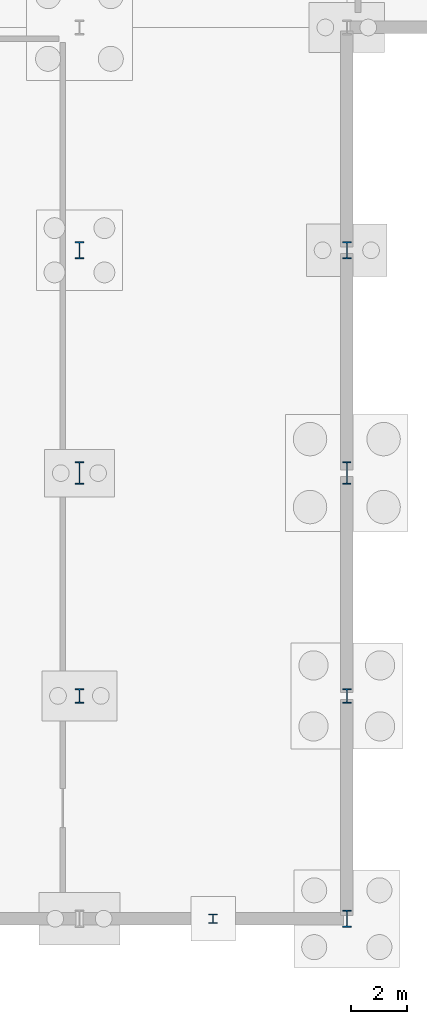
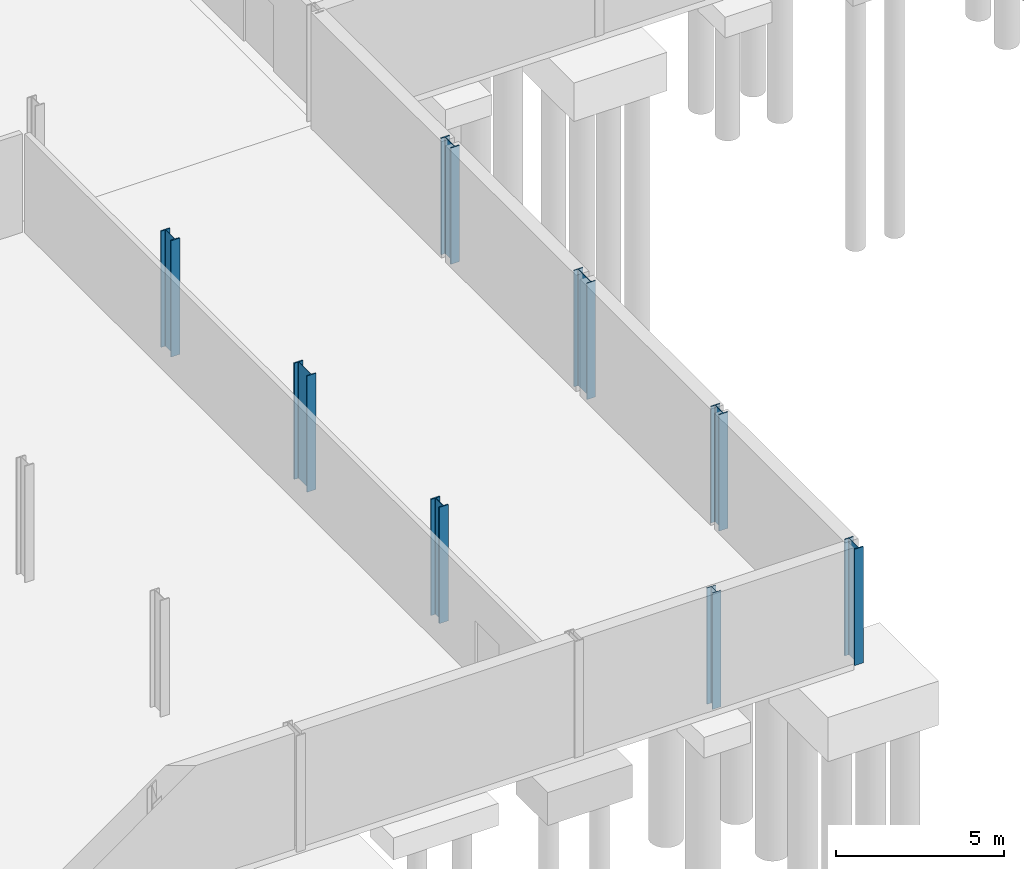
# One storey, part 12 of 47: 8 columns.
"""IFC4 building model written with IfcOpenShell, lengths in metres."""

from ifc_helpers import new_model, si_unit, direction, frame, origin, origin_2d, place, context, subcontext, project, spatial, i_section, extrude, material, material_profile, profile_set, type_object, element, save


model = new_model("IFC4")

# Units and contexts
model_context = context("Model", 3, precision=1e-05, world=origin(), true_north=direction((0.0, 1.0)))
body_context = subcontext(model_context, "Body", "Model", "MODEL_VIEW")
ifc_project = project(units=[si_unit("LENGTHUNIT", "METRE"), si_unit("AREAUNIT", "SQUARE_METRE"), si_unit("VOLUMEUNIT", "CUBIC_METRE"), si_unit("PLANEANGLEUNIT", "RADIAN"), si_unit("MASSUNIT", "GRAM", prefix="KILO")], contexts=[model_context])

# Site, building, storey
site_placement = place(None, origin())
site = spatial("IfcSite", under=ifc_project, at=site_placement, CompositionType="ELEMENT")
building_placement = place(site_placement, origin())
building = spatial("IfcBuilding", under=site, at=building_placement, Name="Alderhovde Museum", CompositionType="ELEMENT")
storey_placement = place(building_placement, frame((0.0, 0.0, -4.5)))
storey = spatial("IfcBuildingStorey", under=building, at=storey_placement, Name="B1", CompositionType="ELEMENT", Elevation=-4.5)

# Columns
ifc_material_1 = material(Name="Steel S355J2", Category="steel")
ifc_material_profile_1 = material_profile(ifc_material_1, i_section(OverallWidth=0.300048828125, OverallDepth=0.800048828125, WebThickness=0.017578125, FlangeThickness=0.032958984375, FilletRadius=0.030029296875, at=origin_2d()), Name="HEB 800")
ifc_profile_set_1 = profile_set([ifc_material_profile_1], Name="Steel S355J2")
column_type_1 = type_object("IfcColumnType", Name="COL-HEB800", PredefinedType="COLUMN", material=ifc_profile_set_1)
for number, where, z_axis, x_axis, name in (
    (1, (105.60009765625, 16.0, 0.0), (0.0, 0.0, 1.0), (1.0, 0.0, 0.0), "B1 Column (105.6, 16.0)"),
    (2, (115.199951171875, 16.0, 0.0), (0.0, 0.0, 1.0), (1.0, 0.0, 0.0), "B1 Column (115.2, 16.0)"),
):
    element("IfcColumn", number, at=place(storey_placement, frame(where, z_axis=z_axis, x_axis=x_axis)), inside=storey, type_object=column_type_1, Name=name, PredefinedType="COLUMN", context=body_context, shape_type="SweptSolid", body=[
        extrude(i_section(OverallWidth=0.300048828125, OverallDepth=0.800048828125, WebThickness=0.017578125, FlangeThickness=0.032958984375, FilletRadius=0.030029296875, at=origin_2d()), origin(), (0.0, 0.0, 1.0), 4.219970703125),
    ])
ifc_material_2 = material(Name="Steel S355J2", Category="steel")
ifc_material_profile_2 = material_profile(ifc_material_2, i_section(OverallWidth=0.305908203125, OverallDepth=0.52392578125, WebThickness=0.02099609375, FlangeThickness=0.0400390625, FilletRadius=0.027099609375, at=origin_2d()), Name="HEM 500")
ifc_profile_set_2 = profile_set([ifc_material_profile_2], Name="Steel S355J2")
column_type_2 = type_object("IfcColumnType", Name="COL-HEM500", PredefinedType="COLUMN", material=ifc_profile_set_2)
for number, where, z_axis, x_axis, name in (
    (3, (105.60009765625, 8.0, 0.0), (0.0, 0.0, 1.0), (1.0, 0.0, 0.0), "B1 Column (105.6, 8.0)"),
    (4, (115.199951171875, 8.0, 0.0), (0.0, 0.0, 1.0), (1.0, 0.0, 0.0), "B1 Column (115.2, 8.0)"),
):
    element("IfcColumn", number, at=place(storey_placement, frame(where, z_axis=z_axis, x_axis=x_axis)), inside=storey, type_object=column_type_2, Name=name, PredefinedType="COLUMN", context=body_context, shape_type="SweptSolid", body=[
        extrude(i_section(OverallWidth=0.305908203125, OverallDepth=0.52392578125, WebThickness=0.02099609375, FlangeThickness=0.0400390625, FilletRadius=0.027099609375, at=origin_2d()), origin(), (0.0, 0.0, 1.0), 4.219970703125),
    ])
ifc_material_3 = material(Name="Steel S355J2", Category="steel")
ifc_material_profile_3 = material_profile(ifc_material_3, i_section(OverallWidth=0.304931640625, OverallDepth=0.6201171875, WebThickness=0.02099609375, FlangeThickness=0.0400390625, FilletRadius=0.027099609375, at=origin_2d()), Name="HEM 600")
ifc_profile_set_3 = profile_set([ifc_material_profile_3], Name="Steel S355J2")
column_type_3 = type_object("IfcColumnType", Name="COL-HEM600", PredefinedType="COLUMN", material=ifc_profile_set_3)
for number, where, z_axis, x_axis, name in (
    (5, (105.60009765625, 24.0, 0.0), (0.0, 0.0, 1.0), (1.0, 0.0, 0.0), "B1 Column (105.6, 24.0)"),
    (6, (115.199951171875, 0.0, 0.0), (0.0, 0.0, 1.0), (1.0, 0.0, 0.0), "B1 Column (115.2, 0.0)"),
    (7, (115.199951171875, 24.0, 0.0), (0.0, 0.0, 1.0), (1.0, 0.0, 0.0), "B1 Column (115.2, 24.0)"),
):
    element("IfcColumn", number, at=place(storey_placement, frame(where, z_axis=z_axis, x_axis=x_axis)), inside=storey, type_object=column_type_3, Name=name, PredefinedType="COLUMN", context=body_context, shape_type="SweptSolid", body=[
        extrude(i_section(OverallWidth=0.304931640625, OverallDepth=0.6201171875, WebThickness=0.02099609375, FlangeThickness=0.0400390625, FilletRadius=0.027099609375, at=origin_2d()), origin(), (0.0, 0.0, 1.0), 4.219970703125),
    ])
ifc_material_4 = material(Name="Steel S355J2", Category="steel")
ifc_material_profile_4 = material_profile(ifc_material_4, i_section(OverallWidth=0.300048828125, OverallDepth=0.330078125, WebThickness=0.009521484375, FlangeThickness=0.0166015625, FilletRadius=0.027099609375, at=origin_2d()), Name="HEA 340")
ifc_profile_set_4 = profile_set([ifc_material_profile_4], Name="Steel S355J2")
column_type_4 = type_object("IfcColumnType", Name="PIL-HEA340", PredefinedType="PILASTER", material=ifc_profile_set_4)
column_placement = place(storey_placement, frame((110.39990234375, 0.0, 0.0), z_axis=(0.0, 0.0, 1.0), x_axis=(1.0, 0.0, 0.0)))
element("IfcColumn", 8, at=column_placement, inside=storey, type_object=column_type_4, Name="B1 Structural Pilaster (110.4, 0.0)", PredefinedType="PILASTER", context=body_context, shape_type="SweptSolid", body=[
    extrude(i_section(OverallWidth=0.300048828125, OverallDepth=0.330078125, WebThickness=0.009521484375, FlangeThickness=0.0166015625, FilletRadius=0.027099609375, at=origin_2d()), origin(), (0.0, 0.0, 1.0), 4.219970703125),
])

save(model, "model.ifc")
